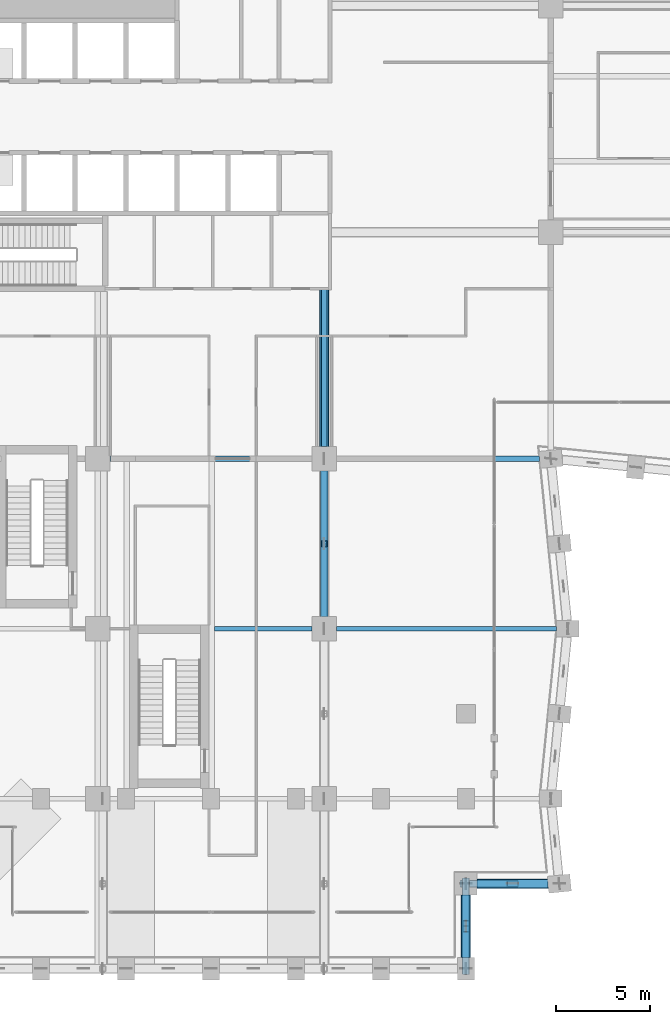
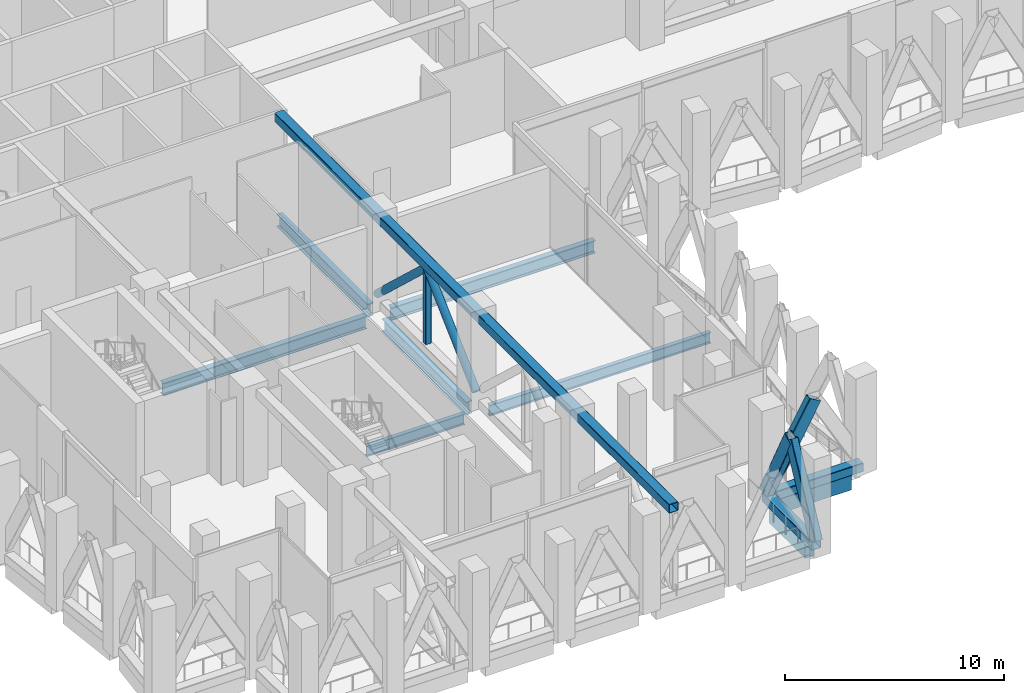
# One storey, part 8 of 37: 9 members, 8 beams.
"""IFC4 building model written with IfcOpenShell, lengths in metres."""

from ifc_helpers import new_model, si_unit, direction, frame, origin, origin_2d, place, context, subcontext, project, spatial, rectangle, hollow_rectangle, hollow_circle, i_section, extrude, material, material_profile, profile_set, type_object, element, save


model = new_model("IFC4")

# Units and contexts
model_context = context("Model", 3, precision=1e-05, world=origin(), true_north=direction((0.0, 1.0)))
body_context = subcontext(model_context, "Body", "Model", "MODEL_VIEW")
ifc_project = project(units=[si_unit("LENGTHUNIT", "METRE"), si_unit("AREAUNIT", "SQUARE_METRE"), si_unit("VOLUMEUNIT", "CUBIC_METRE"), si_unit("PLANEANGLEUNIT", "RADIAN"), si_unit("MASSUNIT", "GRAM", prefix="KILO")], contexts=[model_context])

# Site, building, storey
site_placement = place(None, origin())
site = spatial("IfcSite", under=ifc_project, at=site_placement, CompositionType="ELEMENT")
building_placement = place(site_placement, origin())
building = spatial("IfcBuilding", under=site, at=building_placement, Name="Brondeck Convention Tower", CompositionType="ELEMENT")
storey_placement = place(building_placement, frame((0.0, 0.0, 137.89990234375)))
storey = spatial("IfcBuildingStorey", under=building, at=storey_placement, Name="L33", CompositionType="ELEMENT", Elevation=137.89990234375)

# Members
ifc_material_1 = material(Name="Steel S460", Category="steel")
ifc_material_profile_1 = material_profile(ifc_material_1, hollow_rectangle(XDim=0.39990234375, YDim=0.699951171875, WallThickness=0.030029296875, InnerFilletRadius=0.030029296875, OuterFilletRadius=0.06005859375, at=origin_2d()), Name="RHS 700x400x30")
ifc_profile_set_1 = profile_set([ifc_material_profile_1], Name="Steel S460")
member_type_1 = type_object("IfcMemberType", Name="Chevron brace RHS 700x400x30", PredefinedType="BRACE", material=ifc_profile_set_1)
for number, where, z_axis, x_axis, name in (
    (1, (31.5, 0.0, 0.5), (0.0, 0.459414782038, 0.888221851817), (-1.0, 0.0, 0.0), "Belt truss BT-33-7 diagonal"),
    (2, (31.5, 4.5, 0.5), (0.0, -0.459414782038, 0.888221851817), (1.0, 0.0, 0.0), "Belt truss BT-33-7 diagonal"),
):
    element("IfcMember", number, at=place(storey_placement, frame(where, z_axis=z_axis, x_axis=x_axis)), inside=storey, type_object=member_type_1, Name=name, PredefinedType="BRACE", context=body_context, shape_type="SweptSolid", body=[
        extrude(hollow_rectangle(XDim=0.39990234375, YDim=0.699951171875, WallThickness=0.030029296875, InnerFilletRadius=0.030029296875, OuterFilletRadius=0.06005859375, at=origin_2d()), origin(), (0.0, 0.0, 1.0), 4.8974609375),
    ])
member_1_placement = place(storey_placement, frame((31.5, 4.5, 0.5), z_axis=(0.494530602788, 0.0, 0.869160217052), x_axis=(0.0, 1.0, 0.0)))
element("IfcMember", 3, at=member_1_placement, inside=storey, type_object=member_type_1, Name="Belt truss BT-33-8 diagonal", PredefinedType="BRACE", context=body_context, shape_type="SweptSolid", body=[
    extrude(hollow_rectangle(XDim=0.39990234375, YDim=0.699951171875, WallThickness=0.030029296875, InnerFilletRadius=0.030029296875, OuterFilletRadius=0.06005859375, at=origin_2d()), origin(), (0.0, 0.0, 1.0), 5.0048828125),
])

# Beams
ifc_material_2 = material(Name="Steel S355", Category="steel")
ifc_material_profile_2 = material_profile(ifc_material_2, i_section(OverallWidth=0.219970703125, OverallDepth=0.60009765625, WebThickness=0.011962890625, FlangeThickness=0.01904296875, FilletRadius=0.02392578125, at=origin_2d()), Name="IPE 600")
ifc_profile_set_2 = profile_set([ifc_material_profile_2], Name="Steel S355")
beam_type_1 = type_object("IfcBeamType", Name="Floor beam IPE 600", PredefinedType="BEAM", material=ifc_profile_set_2)
beam_1_placement = place(storey_placement, frame((24.64990234375, 18.0, -0.75), z_axis=(1.0, 0.0, 0.0), x_axis=(0.0, 1.0, 0.0)))
element("IfcBeam", 4, at=beam_1_placement, inside=storey, type_object=beam_type_1, Name="STR-FB-L33-013", PredefinedType="BEAM", context=body_context, shape_type="SweptSolid", body=[
    extrude(i_section(OverallWidth=0.219970703125, OverallDepth=0.60009765625, WebThickness=0.011962890625, FlangeThickness=0.01904296875, FilletRadius=0.02392578125, at=origin_2d()), origin(), (0.0, 0.0, 1.0), 11.650146484375),
])
beam_2_placement = place(storey_placement, frame((18.199951171875, 18.0, -0.75), z_axis=(1.0, 0.0, 0.0), x_axis=(0.0, 1.0, 0.0)))
element("IfcBeam", 5, at=beam_2_placement, inside=storey, type_object=beam_type_1, Name="STR-FB-L33-016", PredefinedType="BEAM", context=body_context, shape_type="SweptSolid", body=[
    extrude(i_section(OverallWidth=0.219970703125, OverallDepth=0.60009765625, WebThickness=0.011962890625, FlangeThickness=0.01904296875, FilletRadius=0.02392578125, at=origin_2d()), origin(), (0.0, 0.0, 1.0), 5.150146484375),
])
ifc_material_profile_3 = material_profile(ifc_material_2, i_section(OverallWidth=0.300048828125, OverallDepth=0.699951171875, WebThickness=0.01708984375, FlangeThickness=0.031982421875, FilletRadius=0.027099609375, at=origin_2d()), Name="HEB 700")
ifc_profile_set_3 = profile_set([ifc_material_profile_3], Name="Steel S355")
beam_type_2 = type_object("IfcBeamType", Name="Girder HEB 700", PredefinedType="BEAM", material=ifc_profile_set_3)
beam_3_placement = place(storey_placement, frame((24.0, 35.955078125, -0.7998046875), z_axis=(0.0, -1.0, 0.0), x_axis=(1.0, 0.0, 0.0)))
element("IfcBeam", 6, at=beam_3_placement, inside=storey, type_object=beam_type_2, Name="STR-GR-L33-017", PredefinedType="BEAM", context=body_context, shape_type="SweptSolid", body=[
    extrude(i_section(OverallWidth=0.300048828125, OverallDepth=0.699951171875, WebThickness=0.01708984375, FlangeThickness=0.031982421875, FilletRadius=0.027099609375, at=origin_2d()), origin(), (0.0, 0.0, 1.0), 8.30517578125),
])
beam_4_placement = place(storey_placement, frame((24.0, 26.35009765625, -0.7998046875), z_axis=(0.0, -1.0, 0.0), x_axis=(1.0, 0.0, 0.0)))
element("IfcBeam", 7, at=beam_4_placement, inside=storey, type_object=beam_type_2, Name="STR-GR-L33-018", PredefinedType="BEAM", context=body_context, shape_type="SweptSolid", body=[
    extrude(i_section(OverallWidth=0.300048828125, OverallDepth=0.699951171875, WebThickness=0.01708984375, FlangeThickness=0.031982421875, FilletRadius=0.027099609375, at=origin_2d()), origin(), (0.0, 0.0, 1.0), 7.7001953125),
])
beam_5_placement = place(storey_placement, frame((12.64990234375, 27.0, -0.7998046875), z_axis=(1.0, 0.0, 0.0), x_axis=(0.0, 1.0, 0.0)))
element("IfcBeam", 8, at=beam_5_placement, inside=storey, type_object=beam_type_2, Name="STR-GR-L33-022", PredefinedType="BEAM", context=body_context, shape_type="SweptSolid", body=[
    extrude(i_section(OverallWidth=0.300048828125, OverallDepth=0.699951171875, WebThickness=0.01708984375, FlangeThickness=0.031982421875, FilletRadius=0.027099609375, at=origin_2d()), origin(), (0.0, 0.0, 1.0), 10.7001953125),
])
beam_6_placement = place(storey_placement, frame((24.64990234375, 27.0, -0.7998046875), z_axis=(1.0, 0.0, 0.0), x_axis=(0.0, 1.0, 0.0)))
element("IfcBeam", 9, at=beam_6_placement, inside=storey, type_object=beam_type_2, Name="STR-GR-L33-023", PredefinedType="BEAM", context=body_context, shape_type="SweptSolid", body=[
    extrude(i_section(OverallWidth=0.300048828125, OverallDepth=0.699951171875, WebThickness=0.01708984375, FlangeThickness=0.031982421875, FilletRadius=0.027099609375, at=origin_2d()), origin(), (0.0, 0.0, 1.0), 10.7470703125),
])
ifc_material_3 = material(Name="Concrete C70/85", Category="concrete")
ifc_material_profile_4 = material_profile(ifc_material_3, rectangle(XDim=0.449951171875, YDim=0.800048828125, at=origin_2d()), Name="Precast spandrel 450x800 Concrete C70/85")
ifc_profile_set_4 = profile_set([ifc_material_profile_4], Name="Concrete C70/85")
beam_type_3 = type_object("IfcBeamType", Name="Precast spandrel 450x800 Concrete C70/85", PredefinedType="SPANDREL", material=ifc_profile_set_4)
beam_7_placement = place(storey_placement, frame((31.5, 0.60009765625, -0.39990234375), z_axis=(0.0, 1.0, 0.0), x_axis=(-1.0, 0.0, 0.0)))
element("IfcBeam", 10, at=beam_7_placement, inside=storey, type_object=beam_type_3, Name="STR-SP-L33-007", PredefinedType="SPANDREL", context=body_context, shape_type="SweptSolid", body=[
    extrude(rectangle(XDim=0.449951171875, YDim=0.800048828125, at=origin_2d()), origin(), (0.0, 0.0, 1.0), 3.2998046875),
])
beam_8_placement = place(storey_placement, frame((32.10009765625, 4.5, -0.39990234375), z_axis=(1.0, 0.0, 0.0), x_axis=(0.0, 1.0, 0.0)))
element("IfcBeam", 11, at=beam_8_placement, inside=storey, type_object=beam_type_3, Name="STR-SP-L33-008", PredefinedType="SPANDREL", context=body_context, shape_type="SweptSolid", body=[
    extrude(rectangle(XDim=0.449951171875, YDim=0.800048828125, at=origin_2d()), origin(), (0.0, 0.0, 1.0), 3.746826171875),
])

# Members
ifc_material_profile_5 = material_profile(ifc_material_1, hollow_rectangle(XDim=0.5, YDim=0.5, WallThickness=0.02490234375, InnerFilletRadius=0.02490234375, OuterFilletRadius=0.050048828125, at=origin_2d()), Name="RHS 500x500x25")
ifc_profile_set_5 = profile_set([ifc_material_profile_5], Name="Steel S460")
member_type_2 = type_object("IfcMemberType", Name="Truss chord RHS 500x500x25", PredefinedType="CHORD", material=ifc_profile_set_5)
member_2_placement = place(storey_placement, frame((31.5, 0.0, 0.25), z_axis=(0.0, 1.0, 0.0), x_axis=(-1.0, 0.0, 0.0)))
element("IfcMember", 12, at=member_2_placement, inside=storey, type_object=member_type_2, Name="Belt truss BT-33-2 chord", PredefinedType="CHORD", context=body_context, shape_type="SweptSolid", body=[
    extrude(hollow_rectangle(XDim=0.5, YDim=0.5, WallThickness=0.02490234375, InnerFilletRadius=0.02490234375, OuterFilletRadius=0.050048828125, at=origin_2d()), origin(), (0.0, 0.0, 1.0), 4.5),
])
member_3_placement = place(storey_placement, frame((31.5, 4.5, 0.25), z_axis=(1.0, 0.0, 0.0), x_axis=(0.0, 1.0, 0.0)))
element("IfcMember", 13, at=member_3_placement, inside=storey, type_object=member_type_2, Name="Belt truss BT-33-3 chord", PredefinedType="CHORD", context=body_context, shape_type="SweptSolid", body=[
    extrude(hollow_rectangle(XDim=0.5, YDim=0.5, WallThickness=0.02490234375, InnerFilletRadius=0.02490234375, OuterFilletRadius=0.050048828125, at=origin_2d()), origin(), (0.0, 0.0, 1.0), 4.949951171875),
])
member_4_placement = place(storey_placement, frame((24.0, 36.0, 4.9501953125), z_axis=(0.0, -1.0, 0.0), x_axis=(1.0, 0.0, 0.0)))
element("IfcMember", 14, at=member_4_placement, inside=storey, type_object=member_type_2, Name="Outrigger truss OT-33-B2 chord", PredefinedType="CHORD", context=body_context, shape_type="SweptSolid", body=[
    extrude(hollow_rectangle(XDim=0.5, YDim=0.5, WallThickness=0.02490234375, InnerFilletRadius=0.02490234375, OuterFilletRadius=0.050048828125, at=origin_2d()), origin(), (0.0, 0.0, 1.0), 36.0),
])
ifc_material_profile_6 = material_profile(ifc_material_1, hollow_circle(Radius=0.203125, WallThickness=0.02490234375, at=origin_2d()), Name="CHS 406.4x25")
ifc_profile_set_6 = profile_set([ifc_material_profile_6], Name="Steel S460")
member_type_3 = type_object("IfcMemberType", Name="Truss diagonal CHS 406.4x25", PredefinedType="BRACE", material=ifc_profile_set_6)
for number, where, z_axis, x_axis, name in (
    (15, (24.0, 27.0, 0.5), (0.0, -0.731039441158, 0.682335207557), (1.0, 0.0, 0.0), "Outrigger truss OT-33-B2 diagonal"),
    (16, (24.0, 22.5, 4.7001953125), (0.0, -0.731039441158, -0.682335207557), (1.0, 0.0, 0.0), "Outrigger truss OT-33-B2 diagonal"),
):
    element("IfcMember", number, at=place(storey_placement, frame(where, z_axis=z_axis, x_axis=x_axis)), inside=storey, type_object=member_type_3, Name=name, PredefinedType="BRACE", context=body_context, shape_type="SweptSolid", body=[
        extrude(hollow_circle(Radius=0.203125, WallThickness=0.02490234375, at=origin_2d()), origin(), (0.0, 0.0, 1.0), 6.155517578125),
    ])
ifc_material_profile_7 = material_profile(ifc_material_1, hollow_rectangle(XDim=0.300048828125, YDim=0.300048828125, WallThickness=0.01611328125, InnerFilletRadius=0.01611328125, OuterFilletRadius=0.031982421875, at=origin_2d()), Name="RHS 300x300x16")
ifc_profile_set_7 = profile_set([ifc_material_profile_7], Name="Steel S460")
member_type_4 = type_object("IfcMemberType", Name="Truss vertical RHS 300x300x16", PredefinedType="STRUT", material=ifc_profile_set_7)
member_5_placement = place(storey_placement, frame((24.0, 22.5, 0.5), z_axis=(0.0, 0.0, 1.0), x_axis=(1.0, 0.0, 0.0)))
element("IfcMember", 17, at=member_5_placement, inside=storey, type_object=member_type_4, Name="Outrigger truss OT-33-B2 vertical", PredefinedType="STRUT", context=body_context, shape_type="SweptSolid", body=[
    extrude(hollow_rectangle(XDim=0.300048828125, YDim=0.300048828125, WallThickness=0.01611328125, InnerFilletRadius=0.01611328125, OuterFilletRadius=0.031982421875, at=origin_2d()), origin(), (0.0, 0.0, 1.0), 4.2001953125),
])

save(model, "model.ifc")
